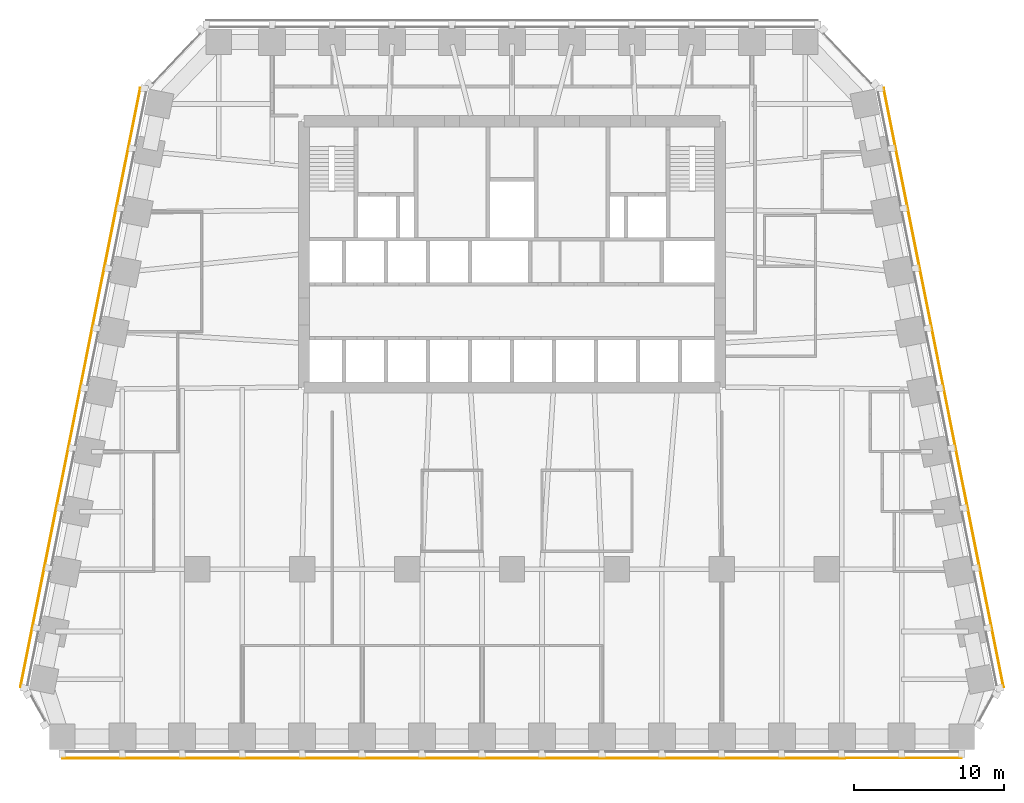
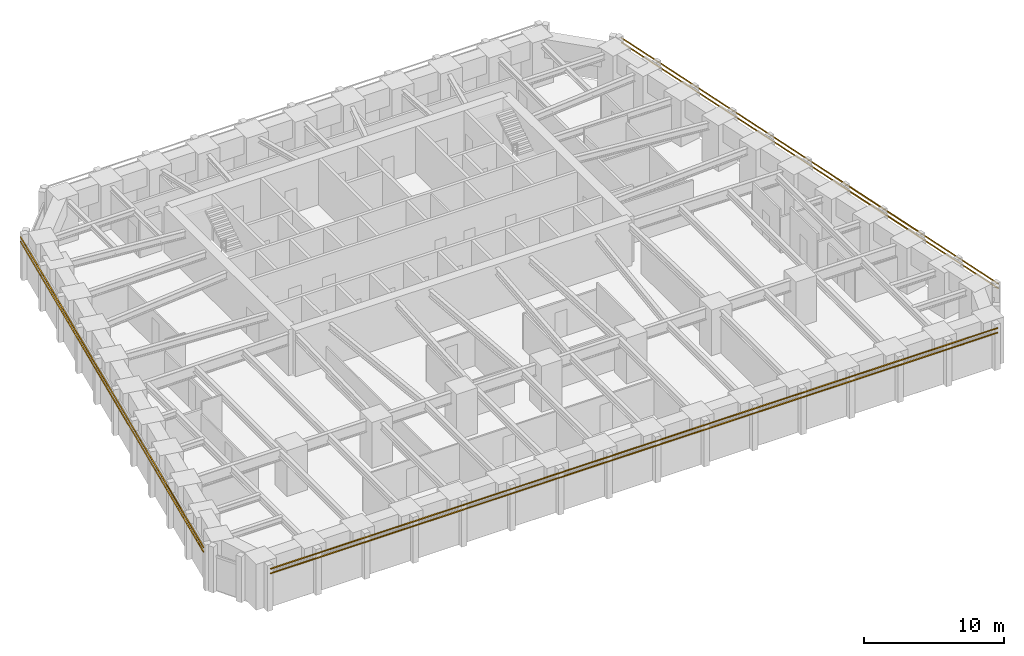
# One storey, part 9 of 10: 6 shading devices.
"""IFC4 building model written with IfcOpenShell, lengths in metres."""

from ifc_helpers import new_model, si_unit, direction, frame, origin, origin_2d, place, context, subcontext, project, spatial, rectangle, extrude, material, material_profile, profile_set, type_object, element, save


model = new_model("IFC4")

# Units and contexts
model_context = context("Model", 3, precision=1e-05, world=origin(), true_north=direction((0.0, 1.0)))
body_context = subcontext(model_context, "Body", "Model", "MODEL_VIEW")
ifc_project = project(units=[si_unit("LENGTHUNIT", "METRE"), si_unit("AREAUNIT", "SQUARE_METRE"), si_unit("VOLUMEUNIT", "CUBIC_METRE"), si_unit("PLANEANGLEUNIT", "RADIAN"), si_unit("MASSUNIT", "GRAM", prefix="KILO")], contexts=[model_context])

# Site, building, storey
site_placement = place(None, origin())
site = spatial("IfcSite", under=ifc_project, at=site_placement, CompositionType="ELEMENT")
building_placement = place(site_placement, origin())
building = spatial("IfcBuilding", under=site, at=building_placement, Name="Isbrekke Arena Tower", CompositionType="ELEMENT")
storey_placement = place(building_placement, frame((0.0, 0.0, 163.0)))
storey = spatial("IfcBuildingStorey", under=building, at=storey_placement, Name="L37", CompositionType="ELEMENT", Elevation=163.0)

# Shading devices
ifc_material = material(Name="Terracotta", Category="masonry")
ifc_material_profile = material_profile(ifc_material, rectangle(XDim=0.06005859375, YDim=0.06005859375, at=origin_2d()), Name="BAGUETTE 60X60")
ifc_profile_set = profile_set([ifc_material_profile], Name="Terracotta")
shading_device_type = type_object("IfcShadingDeviceType", Name="BG1 TERRACOTTA BAGUETTE 60 x 60", PredefinedType="USERDEFINED", material=ifc_profile_set)
for number, where, z_axis, x_axis, name in (
    (1, (-30.0, -18.60498046875, 3.280029296875), (1.0, 0.0, 0.0), (0.0, 1.0, 0.0), "BG1 terracotta baguette S1 L37"),
    (2, (-30.0, -18.60498046875, 3.679931640625), (1.0, 0.0, 0.0), (0.0, 1.0, 0.0), "BG1 terracotta baguette S2 L37"),
):
    element("IfcShadingDevice", number, at=place(storey_placement, frame(where, z_axis=z_axis, x_axis=x_axis)), inside=storey, type_object=shading_device_type, Name=name, ObjectType="TERRACOTTA BAGUETTE", PredefinedType="USERDEFINED", context=body_context, shape_type="SweptSolid", body=[
        extrude(rectangle(XDim=0.06005859375, YDim=0.06005859375, at=origin_2d()), origin(), (0.0, 0.0, 1.0), 60.0),
    ])
for number, where, z_axis, x_axis, name in (
    (3, (32.793212890625, -13.88134765625, 3.280029296875), (-0.196116135138, 0.980580675691, 0.0), (-0.980580675691, -0.196116135138, 0.0), "BG1 terracotta baguette E1 L37"),
    (4, (32.793212890625, -13.88134765625, 3.679931640625), (-0.196116135138, 0.980580675691, 0.0), (-0.980580675691, -0.196116135138, 0.0), "BG1 terracotta baguette E2 L37"),
    (5, (-24.793212890625, 26.11865234375, 3.280029296875), (-0.196116135138, -0.980580675691, 0.0), (0.980580675691, -0.196116135138, 0.0), "BG1 terracotta baguette W1 L37"),
    (6, (-24.793212890625, 26.11865234375, 3.679931640625), (-0.196116135138, -0.980580675691, 0.0), (0.980580675691, -0.196116135138, 0.0), "BG1 terracotta baguette W2 L37"),
):
    element("IfcShadingDevice", number, at=place(storey_placement, frame(where, z_axis=z_axis, x_axis=x_axis)), inside=storey, type_object=shading_device_type, Name=name, ObjectType="TERRACOTTA BAGUETTE", PredefinedType="USERDEFINED", context=body_context, shape_type="SweptSolid", body=[
        extrude(rectangle(XDim=0.06005859375, YDim=0.06005859375, at=origin_2d()), origin(), (0.0, 0.0, 1.0), 40.792236328125),
    ])

save(model, "model.ifc")
